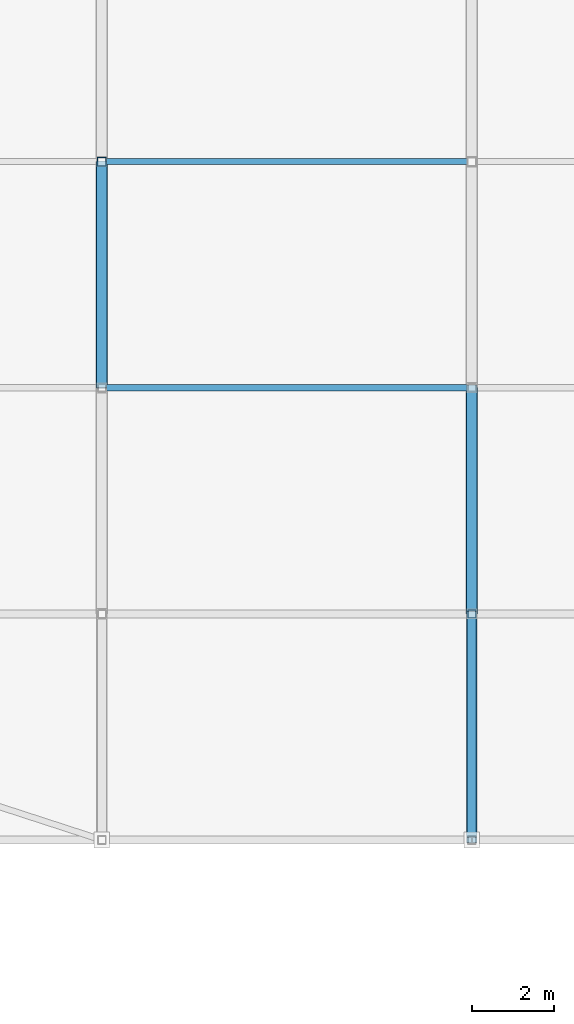
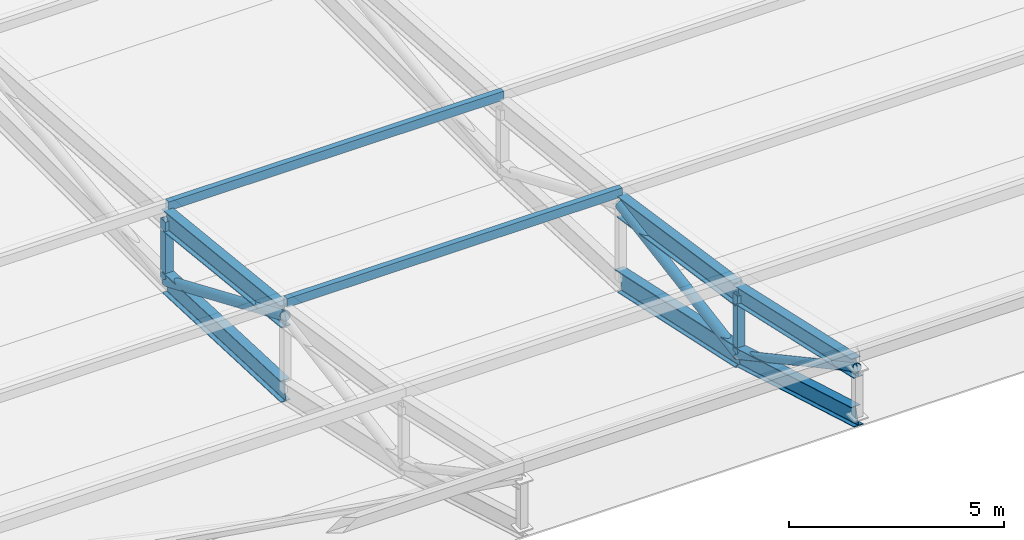
# One storey, part 34 of 114: 7 members, 6 beams.
"""IFC4 building model written with IfcOpenShell, lengths in metres."""

from ifc_helpers import new_model, si_unit, direction, frame, origin, origin_2d, place, context, subcontext, project, spatial, hollow_rectangle, hollow_circle, i_section, extrude, material, material_profile, profile_set, type_object, element, save


model = new_model("IFC4")

# Units and contexts
model_context = context("Model", 3, precision=1e-05, world=origin(), true_north=direction((0.0, 1.0)))
body_context = subcontext(model_context, "Body", "Model", "MODEL_VIEW")
ifc_project = project(units=[si_unit("LENGTHUNIT", "METRE"), si_unit("AREAUNIT", "SQUARE_METRE"), si_unit("VOLUMEUNIT", "CUBIC_METRE"), si_unit("PLANEANGLEUNIT", "RADIAN"), si_unit("MASSUNIT", "GRAM", prefix="KILO"), si_unit("THERMODYNAMICTEMPERATUREUNIT", "KELVIN"), si_unit("POWERUNIT", "WATT")], contexts=[model_context])

# Site, building, storey
site_placement = place(None, origin())
site = spatial("IfcSite", under=ifc_project, at=site_placement, CompositionType="ELEMENT")
building_placement = place(site_placement, origin())
building = spatial("IfcBuilding", under=site, at=building_placement, Name="Sindhuravela Promenade Stadium", CompositionType="ELEMENT")
storey_placement = place(building_placement, frame((0.0, 0.0, 24.0)))
storey = spatial("IfcBuildingStorey", under=building, at=storey_placement, Name="L05", CompositionType="ELEMENT", Elevation=24.0)

# Beams
ifc_material = material(Name="Steel E350 (IS 2062 E350BR)", Category="steel")
ifc_material_profile_1 = material_profile(ifc_material, i_section(OverallWidth=0.25, OverallDepth=0.5, WebThickness=0.010009765625, FlangeThickness=0.0146484375, FilletRadius=0.014892578125, at=origin_2d()), Name="ISWB 500")
ifc_profile_set_1 = profile_set([ifc_material_profile_1], Name="Steel E350 (IS 2062 E350BR)")
beam_type_1 = type_object("IfcBeamType", Name="ST-BM-WB500", PredefinedType="USERDEFINED", material=ifc_profile_set_1)
beam_1_placement = place(storey_placement, frame((81.0, 124.0, 3.169189453125), z_axis=(0.0, -0.9758669805330386, 0.2183658313595103), x_axis=(1.0, 0.0, 0.0)))
element("IfcBeam", 1, at=beam_1_placement, inside=storey, type_object=beam_type_1, Name="Roof truss RT-N03 top chord 5", ObjectType="ROOF TRUSS", PredefinedType="USERDEFINED", context=body_context, shape_type="SweptSolid", body=[
    extrude(i_section(OverallWidth=0.25, OverallDepth=0.5, WebThickness=0.010009765625, FlangeThickness=0.0146484375, FilletRadius=0.014892578125, at=origin_2d()), origin(), (0.0, 0.0, 1.0), 5.635986328125),
])
beam_2_placement = place(storey_placement, frame((81.0, 124.0, 1.419189453125), z_axis=(0.0, -0.9599274278129861, 0.28024869907342015), x_axis=(1.0, 0.0, 0.0)))
element("IfcBeam", 2, at=beam_2_placement, inside=storey, type_object=beam_type_1, Name="Roof truss RT-N03 bottom chord 5", ObjectType="ROOF TRUSS", PredefinedType="USERDEFINED", context=body_context, shape_type="SweptSolid", body=[
    extrude(i_section(OverallWidth=0.25, OverallDepth=0.5, WebThickness=0.010009765625, FlangeThickness=0.0146484375, FilletRadius=0.014892578125, at=origin_2d()), origin(), (0.0, 0.0, 1.0), 5.7294921875),
])
ifc_material_profile_2 = material_profile(ifc_material, i_section(OverallWidth=0.25, OverallDepth=0.60009765625, WebThickness=0.01171875, FlangeThickness=0.023681640625, FilletRadius=0.01708984375, at=origin_2d()), Name="ISWB 600")
ifc_profile_set_2 = profile_set([ifc_material_profile_2], Name="Steel E350 (IS 2062 E350BR)")
beam_type_2 = type_object("IfcBeamType", Name="ST-BM-WB600", PredefinedType="USERDEFINED", material=ifc_profile_set_2)
beam_3_placement = place(storey_placement, frame((72.0, 135.0, 1.76318359375), z_axis=(0.0, -0.9943078180575428, 0.1065455909441987), x_axis=(1.0, 0.0, 0.0)))
element("IfcBeam", 3, at=beam_3_placement, inside=storey, type_object=beam_type_2, Name="Roof truss RT-N02 top chord 3", ObjectType="ROOF TRUSS", PredefinedType="USERDEFINED", context=body_context, shape_type="SweptSolid", body=[
    extrude(i_section(OverallWidth=0.25, OverallDepth=0.60009765625, WebThickness=0.01171875, FlangeThickness=0.023681640625, FilletRadius=0.01708984375, at=origin_2d()), origin(), (0.0, 0.0, 1.0), 5.531494140625),
])
beam_4_placement = place(storey_placement, frame((72.0, 135.0, 0.0), z_axis=(0.0, -0.9991453279387894, 0.04133538022189949), x_axis=(1.0, 0.0, 0.0)))
element("IfcBeam", 4, at=beam_4_placement, inside=storey, type_object=beam_type_2, Name="Roof truss RT-N02 bottom chord 3", ObjectType="ROOF TRUSS", PredefinedType="USERDEFINED", context=body_context, shape_type="SweptSolid", body=[
    extrude(i_section(OverallWidth=0.25, OverallDepth=0.60009765625, WebThickness=0.01171875, FlangeThickness=0.023681640625, FilletRadius=0.01708984375, at=origin_2d()), origin(), (0.0, 0.0, 1.0), 5.504638671875),
])
beam_5_placement = place(storey_placement, frame((81.0, 129.5, 2.3525390625), z_axis=(0.0, -0.9891555530237203, 0.14687168523012892), x_axis=(1.0, 0.0, 0.0)))
element("IfcBeam", 5, at=beam_5_placement, inside=storey, type_object=beam_type_2, Name="Roof truss RT-N03 top chord 4", ObjectType="ROOF TRUSS", PredefinedType="USERDEFINED", context=body_context, shape_type="SweptSolid", body=[
    extrude(i_section(OverallWidth=0.25, OverallDepth=0.60009765625, WebThickness=0.01171875, FlangeThickness=0.023681640625, FilletRadius=0.01708984375, at=origin_2d()), origin(), (0.0, 0.0, 1.0), 5.560302734375),
])
beam_6_placement = place(storey_placement, frame((81.0, 129.5, 0.2275390625), z_axis=(0.0, -0.9773237385626684, 0.21175058451368894), x_axis=(1.0, 0.0, 0.0)))
element("IfcBeam", 6, at=beam_6_placement, inside=storey, type_object=beam_type_2, Name="Roof truss RT-N03 bottom chord 4", ObjectType="ROOF TRUSS", PredefinedType="USERDEFINED", context=body_context, shape_type="SweptSolid", body=[
    extrude(i_section(OverallWidth=0.25, OverallDepth=0.60009765625, WebThickness=0.01171875, FlangeThickness=0.023681640625, FilletRadius=0.01708984375, at=origin_2d()), origin(), (0.0, 0.0, 1.0), 5.627685546875),
])

# Members
ifc_material_profile_3 = material_profile(ifc_material, hollow_circle(Radius=0.109619140625, WallThickness=0.010009765625, at=origin_2d()), Name="CHS 219.1x10")
ifc_profile_set_3 = profile_set([ifc_material_profile_3], Name="Steel E350 (IS 2062 E350BR)")
member_type_1 = type_object("IfcMemberType", Name="ST-MB-CHS219", PredefinedType="BRACE", material=ifc_profile_set_3)
member_1_placement = place(storey_placement, frame((81.0, 124.0, 1.419189453125), z_axis=(0.0, -0.8791884339384995, 0.47647423605979855), x_axis=(1.0, 0.0, 0.0)))
element("IfcMember", 7, at=member_1_placement, inside=storey, type_object=member_type_1, Name="Roof truss RT-N03 diagonal web 5", PredefinedType="BRACE", context=body_context, shape_type="SweptSolid", body=[
    extrude(hollow_circle(Radius=0.109619140625, WallThickness=0.010009765625, at=origin_2d()), origin(), (0.0, 0.0, 1.0), 6.255859375),
])
ifc_material_profile_4 = material_profile(ifc_material, hollow_circle(Radius=0.136474609375, WallThickness=0.010009765625, at=origin_2d()), Name="CHS 273.0x10")
ifc_profile_set_4 = profile_set([ifc_material_profile_4], Name="Steel E350 (IS 2062 E350BR)")
member_type_2 = type_object("IfcMemberType", Name="ST-MB-CHS273", PredefinedType="BRACE", material=ifc_profile_set_4)
member_2_placement = place(storey_placement, frame((72.0, 135.0, 0.0), z_axis=(0.0, -0.9194234507496676, 0.3932690150667524), x_axis=(1.0, 0.0, 0.0)))
element("IfcMember", 8, at=member_2_placement, inside=storey, type_object=member_type_2, Name="Roof truss RT-N02 diagonal web 3", PredefinedType="BRACE", context=body_context, shape_type="SweptSolid", body=[
    extrude(hollow_circle(Radius=0.136474609375, WallThickness=0.010009765625, at=origin_2d()), origin(), (0.0, 0.0, 1.0), 5.98193359375),
])
member_3_placement = place(storey_placement, frame((81.0, 129.5, 2.3525390625), z_axis=(0.0, -0.9859046851385784, -0.1673079550463772), x_axis=(1.0, 0.0, 0.0)))
element("IfcMember", 9, at=member_3_placement, inside=storey, type_object=member_type_2, Name="Roof truss RT-N03 diagonal web 4", PredefinedType="BRACE", context=body_context, shape_type="SweptSolid", body=[
    extrude(hollow_circle(Radius=0.136474609375, WallThickness=0.010009765625, at=origin_2d()), origin(), (0.0, 0.0, 1.0), 5.57861328125),
])
ifc_material_profile_5 = material_profile(ifc_material, hollow_rectangle(XDim=0.14990234375, YDim=0.25, WallThickness=0.010009765625, at=origin_2d()), Name="RHS 250x150x10")
ifc_profile_set_5 = profile_set([ifc_material_profile_5], Name="Steel E350 (IS 2062 E350BR)")
member_type_3 = type_object("IfcMemberType", Name="ST-MB-RHS250", PredefinedType="PURLIN", material=ifc_profile_set_5)
for number, where, z_axis, x_axis, name in (
    (10, (72.0, 135.0, 2.1552734375), (1.0, 0.0, 0.0), (0.0, 1.0, 0.0), "Roof purlin PR01 N bay 2.3"),
    (11, (72.0, 129.5, 2.744384765625), (1.0, 0.0, 0.0), (0.0, 1.0, 0.0), "Roof purlin PR01 N bay 2.4"),
):
    element("IfcMember", number, at=place(storey_placement, frame(where, z_axis=z_axis, x_axis=x_axis)), inside=storey, type_object=member_type_3, Name=name, PredefinedType="PURLIN", context=body_context, shape_type="SweptSolid", body=[
        extrude(hollow_rectangle(XDim=0.14990234375, YDim=0.25, WallThickness=0.010009765625, at=origin_2d()), origin(), (0.0, 0.0, 1.0), 9.0),
    ])
ifc_material_profile_6 = material_profile(ifc_material, hollow_rectangle(XDim=0.199951171875, YDim=0.199951171875, WallThickness=0.010009765625, at=origin_2d()), Name="SHS 200x200x10")
ifc_profile_set_6 = profile_set([ifc_material_profile_6], Name="Steel E350 (IS 2062 E350BR)")
member_type_4 = type_object("IfcMemberType", Name="ST-MB-SHS200", PredefinedType="POST", material=ifc_profile_set_6)
member_4_placement = place(storey_placement, frame((81.0, 124.0, 1.419189453125), z_axis=(0.0, 0.0, 1.0), x_axis=(1.0, 0.0, 0.0)))
element("IfcMember", 12, at=member_4_placement, inside=storey, type_object=member_type_4, Name="Roof truss RT-N03 vertical post 5", PredefinedType="POST", context=body_context, shape_type="SweptSolid", body=[
    extrude(hollow_rectangle(XDim=0.199951171875, YDim=0.199951171875, WallThickness=0.010009765625, at=origin_2d()), origin(), (0.0, 0.0, 1.0), 1.75),
])
ifc_material_profile_7 = material_profile(ifc_material, hollow_rectangle(XDim=0.219970703125, YDim=0.219970703125, WallThickness=0.011962890625, at=origin_2d()), Name="SHS 220x220x12")
ifc_profile_set_7 = profile_set([ifc_material_profile_7], Name="Steel E350 (IS 2062 E350BR)")
member_type_5 = type_object("IfcMemberType", Name="ST-MB-SHS220", PredefinedType="POST", material=ifc_profile_set_7)
member_5_placement = place(storey_placement, frame((72.0, 135.0, 0.0), z_axis=(0.0, 0.0, 1.0), x_axis=(1.0, 0.0, 0.0)))
element("IfcMember", 13, at=member_5_placement, inside=storey, type_object=member_type_5, Name="Roof truss RT-N02 vertical post 3", PredefinedType="POST", context=body_context, shape_type="SweptSolid", body=[
    extrude(hollow_rectangle(XDim=0.219970703125, YDim=0.219970703125, WallThickness=0.011962890625, at=origin_2d()), origin(), (0.0, 0.0, 1.0), 1.76318359375),
])

save(model, "model.ifc")
